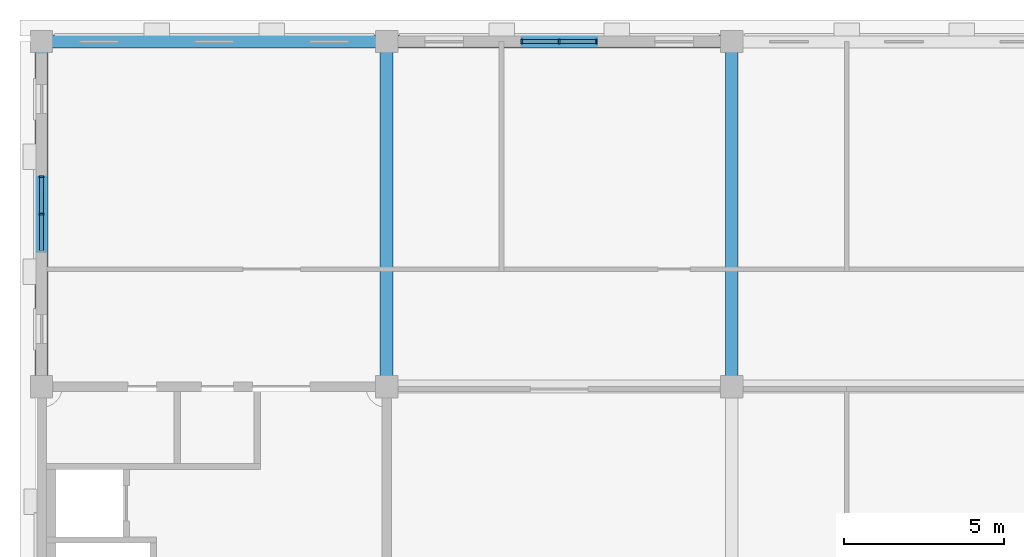
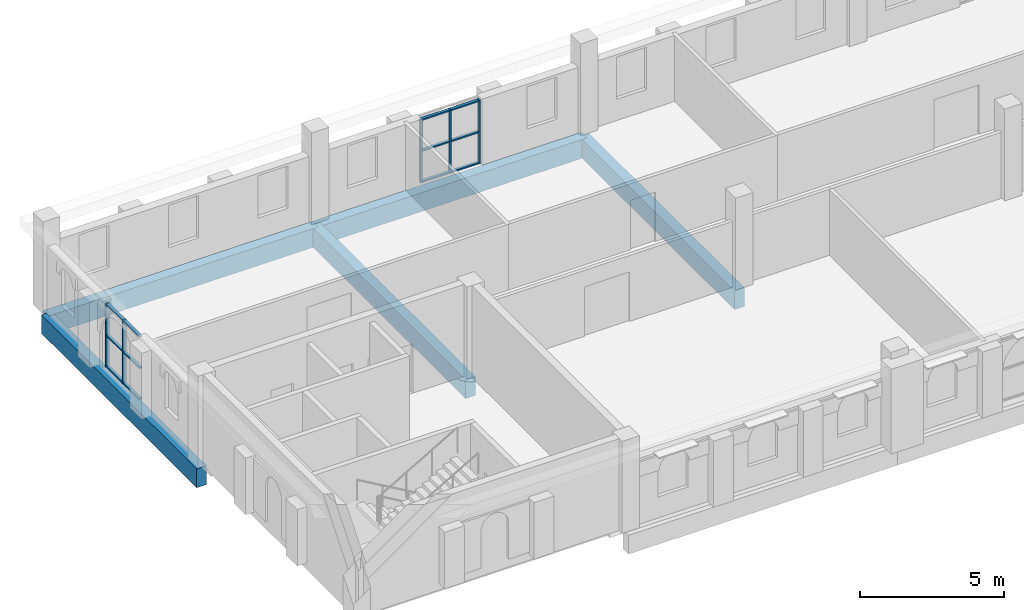
# One storey, part 4 of 17: 17 members, 5 beams, 2 elements without a shape of their own.
"""IFC4 building model written with IfcOpenShell, lengths in metres."""

from ifc_helpers import new_model, si_unit, direction, frame, origin, origin_2d, place, context, subcontext, project, spatial, rectangle, extrude, material, layer, layer_set, material_profile, profile_set, type_object, element, aggregate, save


model = new_model("IFC4")

# Units and contexts
model_context = context("Model", 3, precision=1e-05, world=origin(), true_north=direction((0.0, 1.0)))
body_context = subcontext(model_context, "Body", "Model", "MODEL_VIEW")
ifc_project = project(units=[si_unit("LENGTHUNIT", "METRE"), si_unit("AREAUNIT", "SQUARE_METRE"), si_unit("VOLUMEUNIT", "CUBIC_METRE"), si_unit("PLANEANGLEUNIT", "RADIAN"), si_unit("MASSUNIT", "GRAM", prefix="KILO")], contexts=[model_context])

# Site, building, storey
site_placement = place(None, origin())
site = spatial("IfcSite", under=ifc_project, at=site_placement, CompositionType="ELEMENT")
building_placement = place(site_placement, origin())
building = spatial("IfcBuilding", under=site, at=building_placement, Name="Magnolia Steps Interchange", CompositionType="ELEMENT")
storey_placement = place(building_placement, frame((0.0, 0.0, 20.39990234375)))
storey = spatial("IfcBuildingStorey", under=building, at=storey_placement, Name="L05", CompositionType="ELEMENT", Elevation=20.39990234375)

# Curtain wall, members
ifc_material_1 = material(Name="Powder-coated aluminium and glass", Category="aluminium")
ifc_layer = layer(ifc_material_1, 0.199951171875)
ifc_layer_set = layer_set([ifc_layer], Name="Glazed central bay curtain wall")
curtain_wall_type = type_object("IfcCurtainWallType", Name="Glazed central bay curtain wall", PredefinedType="NOTDEFINED", material=ifc_layer_set)
curtain_wall_1_placement = place(storey_placement, origin())
curtain_wall_1 = element("IfcCurtainWall", 1, at=curtain_wall_1_placement, inside=storey, type_object=curtain_wall_type, Name="Operations building north wall L05 glazing 2", PredefinedType="NOTDEFINED")
ifc_material_2 = material(Name="White powder-coated aluminium", Category="aluminium")
ifc_material_profile_1 = material_profile(ifc_material_2, rectangle(XDim=0.06005859375, YDim=0.14990234375, at=origin_2d()), Name="Aluminium mullion 60 x 150")
ifc_profile_set_1 = profile_set([ifc_material_profile_1], Name="White powder-coated aluminium")
member_type_1 = type_object("IfcMemberType", Name="Aluminium mullion 60 x 150", PredefinedType="MULLION", material=ifc_profile_set_1)
member_1_placement = place(storey_placement, frame((79.030029296875, 118.0, 0.0), z_axis=(0.0, 0.0, 1.0), x_axis=(1.0, 0.0, 0.0)))
member_1 = element("IfcMember", 2, at=member_1_placement, type_object=member_type_1, Name="CW2 mullion 1", PredefinedType="MULLION", context=body_context, shape_type="SweptSolid", body=[
    extrude(rectangle(XDim=0.06005859375, YDim=0.14990234375, at=origin_2d()), origin(), (0.0, 0.0, 1.0), 2.7001953125),
])
member_2_placement = place(storey_placement, frame((80.199951171875, 118.0, 0.0), z_axis=(0.0, 0.0, 1.0), x_axis=(1.0, 0.0, 0.0)))
member_2 = element("IfcMember", 3, at=member_2_placement, type_object=member_type_1, Name="CW2 mullion 2", PredefinedType="MULLION", context=body_context, shape_type="SweptSolid", body=[
    extrude(rectangle(XDim=0.06005859375, YDim=0.14990234375, at=origin_2d()), origin(), (0.0, 0.0, 1.0), 2.7001953125),
])
member_3_placement = place(storey_placement, frame((81.3701171875, 118.0, 0.0), z_axis=(0.0, 0.0, 1.0), x_axis=(1.0, 0.0, 0.0)))
member_3 = element("IfcMember", 4, at=member_3_placement, type_object=member_type_1, Name="CW2 mullion 3", PredefinedType="MULLION", context=body_context, shape_type="SweptSolid", body=[
    extrude(rectangle(XDim=0.06005859375, YDim=0.14990234375, at=origin_2d()), origin(), (0.0, 0.0, 1.0), 2.7001953125),
])

curtain_wall_2_placement = place(storey_placement, origin())
curtain_wall_2 = element("IfcCurtainWall", 5, at=curtain_wall_2_placement, inside=storey, type_object=curtain_wall_type, Name="Operations building west wall L05 glazing 2", PredefinedType="NOTDEFINED")
member_4_placement = place(storey_placement, frame((64.0, 112.60009765625, 0.0), z_axis=(0.0, 0.0, 1.0), x_axis=(0.0, 1.0, 0.0)))
member_4 = element("IfcMember", 6, at=member_4_placement, type_object=member_type_1, Name="CW2 mullion 2", PredefinedType="MULLION", context=body_context, shape_type="SweptSolid", body=[
    extrude(rectangle(XDim=0.06005859375, YDim=0.14990234375, at=origin_2d()), origin(), (0.0, 0.0, 1.0), 2.7001953125),
])
member_5_placement = place(storey_placement, frame((64.0, 113.77001953125, 0.0), z_axis=(0.0, 0.0, 1.0), x_axis=(0.0, 1.0, 0.0)))
member_5 = element("IfcMember", 7, at=member_5_placement, type_object=member_type_1, Name="CW2 mullion 3", PredefinedType="MULLION", context=body_context, shape_type="SweptSolid", body=[
    extrude(rectangle(XDim=0.06005859375, YDim=0.14990234375, at=origin_2d()), origin(), (0.0, 0.0, 1.0), 2.7001953125),
])

# Member
ifc_material_3 = material(Name="White powder-coated aluminium", Category="aluminium")
ifc_material_profile_2 = material_profile(ifc_material_3, rectangle(XDim=0.06005859375, YDim=0.1201171875, at=origin_2d()), Name="Aluminium transom 60 x 120")
ifc_profile_set_2 = profile_set([ifc_material_profile_2], Name="White powder-coated aluminium")
member_type_2 = type_object("IfcMemberType", Name="Aluminium transom 60 x 120", PredefinedType="USERDEFINED", material=ifc_profile_set_2)
member_6_placement = place(storey_placement, frame((79.06005859375, 118.0, 0.030029296875), z_axis=(1.0, 0.0, 0.0), x_axis=(0.0, 0.0, 1.0)))
member_6 = element("IfcMember", 8, at=member_6_placement, type_object=member_type_2, Name="CW2 transom 1.1", ObjectType="TRANSOM", PredefinedType="USERDEFINED", context=body_context, shape_type="SweptSolid", body=[
    extrude(rectangle(XDim=0.06005859375, YDim=0.1201171875, at=origin_2d()), origin(), (0.0, 0.0, 1.0), 1.10986328125),
])

member_7_placement = place(storey_placement, frame((79.06005859375, 118.0, 1.35009765625), z_axis=(1.0, 0.0, 0.0), x_axis=(0.0, 0.0, 1.0)))
member_7 = element("IfcMember", 9, at=member_7_placement, type_object=member_type_2, Name="CW2 transom 1.2", ObjectType="TRANSOM", PredefinedType="USERDEFINED", context=body_context, shape_type="SweptSolid", body=[
    extrude(rectangle(XDim=0.06005859375, YDim=0.1201171875, at=origin_2d()), origin(), (0.0, 0.0, 1.0), 1.10986328125),
])

member_8_placement = place(storey_placement, frame((79.06005859375, 118.0, 2.670166015625), z_axis=(1.0, 0.0, 0.0), x_axis=(0.0, 0.0, 1.0)))
member_8 = element("IfcMember", 10, at=member_8_placement, type_object=member_type_2, Name="CW2 transom 1.3", ObjectType="TRANSOM", PredefinedType="USERDEFINED", context=body_context, shape_type="SweptSolid", body=[
    extrude(rectangle(XDim=0.06005859375, YDim=0.1201171875, at=origin_2d()), origin(), (0.0, 0.0, 1.0), 1.10986328125),
])

member_9_placement = place(storey_placement, frame((80.22998046875, 118.0, 0.030029296875), z_axis=(1.0, 0.0, 0.0), x_axis=(0.0, 0.0, 1.0)))
member_9 = element("IfcMember", 11, at=member_9_placement, type_object=member_type_2, Name="CW2 transom 2.1", ObjectType="TRANSOM", PredefinedType="USERDEFINED", context=body_context, shape_type="SweptSolid", body=[
    extrude(rectangle(XDim=0.06005859375, YDim=0.1201171875, at=origin_2d()), origin(), (0.0, 0.0, 1.0), 1.110107421875),
])

member_10_placement = place(storey_placement, frame((80.22998046875, 118.0, 1.35009765625), z_axis=(1.0, 0.0, 0.0), x_axis=(0.0, 0.0, 1.0)))
member_10 = element("IfcMember", 12, at=member_10_placement, type_object=member_type_2, Name="CW2 transom 2.2", ObjectType="TRANSOM", PredefinedType="USERDEFINED", context=body_context, shape_type="SweptSolid", body=[
    extrude(rectangle(XDim=0.06005859375, YDim=0.1201171875, at=origin_2d()), origin(), (0.0, 0.0, 1.0), 1.110107421875),
])

member_11_placement = place(storey_placement, frame((80.22998046875, 118.0, 2.670166015625), z_axis=(1.0, 0.0, 0.0), x_axis=(0.0, 0.0, 1.0)))
member_11 = element("IfcMember", 13, at=member_11_placement, type_object=member_type_2, Name="CW2 transom 2.3", ObjectType="TRANSOM", PredefinedType="USERDEFINED", context=body_context, shape_type="SweptSolid", body=[
    extrude(rectangle(XDim=0.06005859375, YDim=0.1201171875, at=origin_2d()), origin(), (0.0, 0.0, 1.0), 1.110107421875),
])

aggregate(curtain_wall_1, [member_1, member_2, member_3, member_6, member_7, member_8, member_9, member_10, member_11])

member_12_placement = place(storey_placement, frame((64.0, 111.4599609375, 0.030029296875), z_axis=(0.0, 1.0, 0.0), x_axis=(0.0, 0.0, 1.0)))
member_12 = element("IfcMember", 14, at=member_12_placement, type_object=member_type_2, Name="CW2 transom 1.1", ObjectType="TRANSOM", PredefinedType="USERDEFINED", context=body_context, shape_type="SweptSolid", body=[
    extrude(rectangle(XDim=0.06005859375, YDim=0.1201171875, at=origin_2d()), origin(), (0.0, 0.0, 1.0), 1.110107421875),
])

member_13_placement = place(storey_placement, frame((64.0, 111.4599609375, 1.35009765625), z_axis=(0.0, 1.0, 0.0), x_axis=(0.0, 0.0, 1.0)))
member_13 = element("IfcMember", 15, at=member_13_placement, type_object=member_type_2, Name="CW2 transom 1.2", ObjectType="TRANSOM", PredefinedType="USERDEFINED", context=body_context, shape_type="SweptSolid", body=[
    extrude(rectangle(XDim=0.06005859375, YDim=0.1201171875, at=origin_2d()), origin(), (0.0, 0.0, 1.0), 1.110107421875),
])

member_14_placement = place(storey_placement, frame((64.0, 111.4599609375, 2.670166015625), z_axis=(0.0, 1.0, 0.0), x_axis=(0.0, 0.0, 1.0)))
member_14 = element("IfcMember", 16, at=member_14_placement, type_object=member_type_2, Name="CW2 transom 1.3", ObjectType="TRANSOM", PredefinedType="USERDEFINED", context=body_context, shape_type="SweptSolid", body=[
    extrude(rectangle(XDim=0.06005859375, YDim=0.1201171875, at=origin_2d()), origin(), (0.0, 0.0, 1.0), 1.110107421875),
])

member_15_placement = place(storey_placement, frame((64.0, 112.6298828125, 0.030029296875), z_axis=(0.0, 1.0, 0.0), x_axis=(0.0, 0.0, 1.0)))
member_15 = element("IfcMember", 17, at=member_15_placement, type_object=member_type_2, Name="CW2 transom 2.1", ObjectType="TRANSOM", PredefinedType="USERDEFINED", context=body_context, shape_type="SweptSolid", body=[
    extrude(rectangle(XDim=0.06005859375, YDim=0.1201171875, at=origin_2d()), origin(), (0.0, 0.0, 1.0), 1.110107421875),
])

member_16_placement = place(storey_placement, frame((64.0, 112.6298828125, 1.35009765625), z_axis=(0.0, 1.0, 0.0), x_axis=(0.0, 0.0, 1.0)))
member_16 = element("IfcMember", 18, at=member_16_placement, type_object=member_type_2, Name="CW2 transom 2.2", ObjectType="TRANSOM", PredefinedType="USERDEFINED", context=body_context, shape_type="SweptSolid", body=[
    extrude(rectangle(XDim=0.06005859375, YDim=0.1201171875, at=origin_2d()), origin(), (0.0, 0.0, 1.0), 1.110107421875),
])

member_17_placement = place(storey_placement, frame((64.0, 112.6298828125, 2.670166015625), z_axis=(0.0, 1.0, 0.0), x_axis=(0.0, 0.0, 1.0)))
member_17 = element("IfcMember", 19, at=member_17_placement, type_object=member_type_2, Name="CW2 transom 2.3", ObjectType="TRANSOM", PredefinedType="USERDEFINED", context=body_context, shape_type="SweptSolid", body=[
    extrude(rectangle(XDim=0.06005859375, YDim=0.1201171875, at=origin_2d()), origin(), (0.0, 0.0, 1.0), 1.110107421875),
])

aggregate(curtain_wall_2, [member_4, member_5, member_12, member_13, member_14, member_15, member_16, member_17])

# Beams
ifc_material_4 = material(Name="Concrete C40", Category="concrete")
ifc_material_profile_3 = material_profile(ifc_material_4, rectangle(XDim=0.39990234375, YDim=0.800048828125, at=origin_2d()), Name="RC400x800")
ifc_profile_set_3 = profile_set([ifc_material_profile_3], Name="Concrete C40")
beam_type = type_object("IfcBeamType", Name="RC beam 400x800", PredefinedType="BEAM", material=ifc_profile_set_3)
for number, where, z_axis, x_axis, name in (
    (20, (64.0, 118.0, -0.699951171875), (1.0, 0.0, 0.0), (0.0, 1.0, 0.0), "Beam L05 K 6-7"),
    (21, (74.800048828125, 118.0, -0.699951171875), (1.0, 0.0, 0.0), (0.0, 1.0, 0.0), "Beam L05 K 7-8"),
    (22, (64.0, 107.199951171875, -0.699951171875), (0.0, 1.0, 0.0), (-1.0, 0.0, 0.0), "Beam L05 6 J-K"),
    (23, (74.800048828125, 107.199951171875, -0.699951171875), (0.0, 1.0, 0.0), (-1.0, 0.0, 0.0), "Beam L05 7 J-K"),
    (24, (85.60009765625, 107.199951171875, -0.699951171875), (0.0, 1.0, 0.0), (-1.0, 0.0, 0.0), "Beam L05 8 J-K"),
):
    element("IfcBeam", number, at=place(storey_placement, frame(where, z_axis=z_axis, x_axis=x_axis)), inside=storey, type_object=beam_type, Name=name, PredefinedType="BEAM", context=body_context, shape_type="SweptSolid", body=[
        extrude(rectangle(XDim=0.39990234375, YDim=0.800048828125, at=origin_2d()), origin(), (0.0, 0.0, 1.0), 10.800048828125),
    ])

save(model, "model.ifc")
